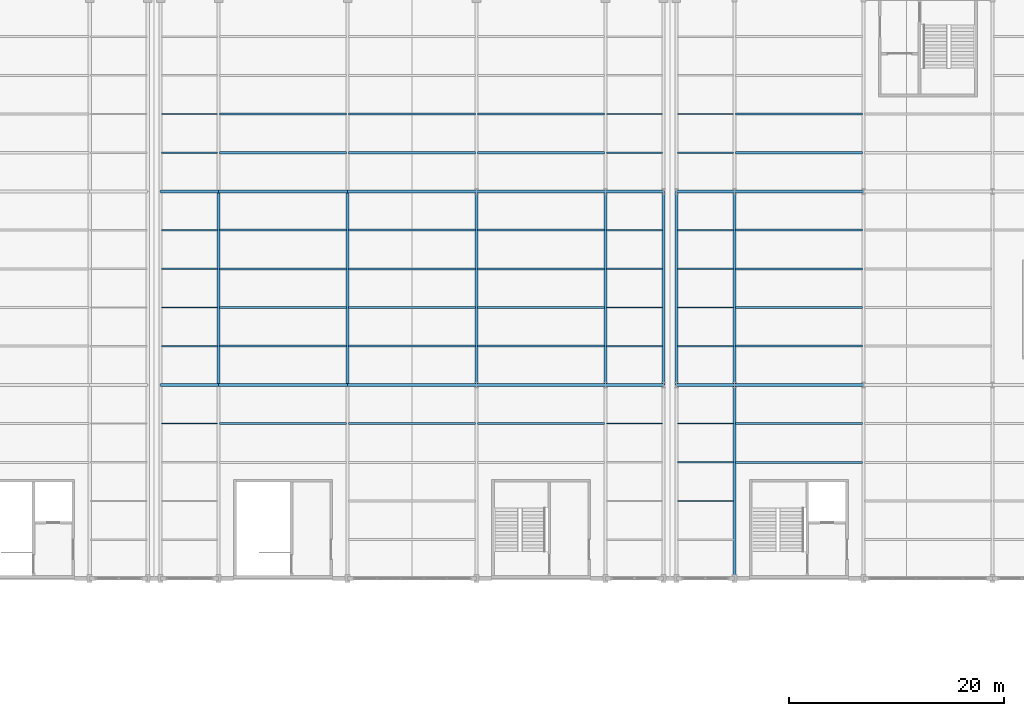
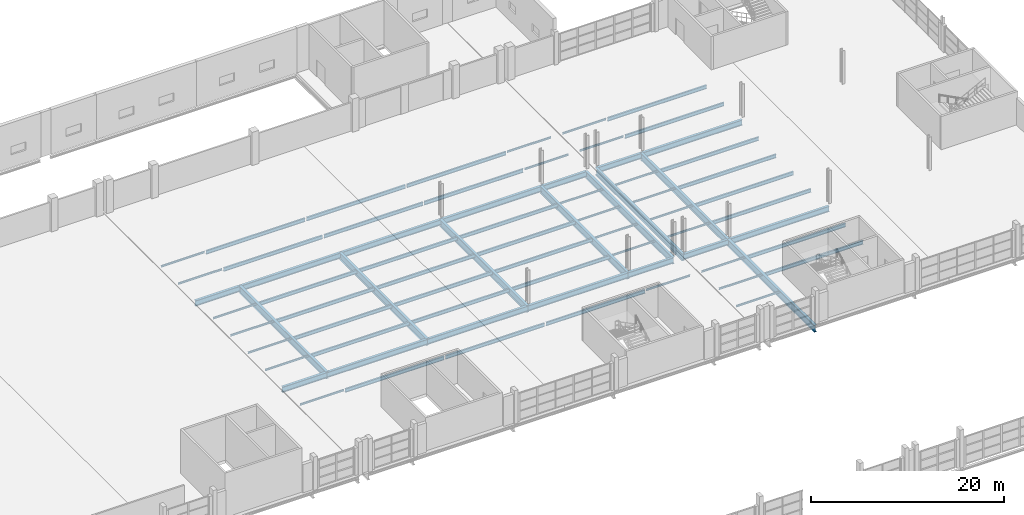
# One storey, part 96 of 147: 74 beams.
"""IFC4 building model written with IfcOpenShell, lengths in metres."""

import ifcopenshell
import ifcopenshell.guid

model = None  # the IFC model being written
_history = None  # IfcOwnerHistory: only IFC2X3 demands one
_inside = {}  # id of a spatial element -> (the spatial element, [elements in it])
_under = {}  # id of a project, library or spatial element -> (it, [spatial elements below it])
_declared = {}  # id of a project -> (the project, [libraries it declares])
_typed = {}  # id of a type object -> (the type object, [elements of that type])
_made_of = {}  # id of a material, layer set ... -> (it, [elements and type objects made of it])


def new_model(schema):
    """Start an empty IFC model of exactly this schema.

    Asked for "IFC4X3", IfcOpenShell would pick the latest addendum, in which some entities
    have other attributes; the version numbers below select the first issue.
    IFC2X3 requires an IfcOwnerHistory on every rooted entity: one is made here for all.
    """
    global model, _history
    if schema == "IFC4X3":
        model = ifcopenshell.file(schema_version=(4, 3, 0, 0))
    else:
        model = ifcopenshell.file(schema=schema)
    _inside.clear()
    _under.clear()
    _declared.clear()
    _typed.clear()
    _made_of.clear()
    _history = None
    if model.schema == "IFC2X3":
        org = make("IfcOrganization", Name="unknown")
        user = make(
            "IfcPersonAndOrganization",
            ThePerson=make("IfcPerson", FamilyName="unknown"),
            TheOrganization=org,
        )
        app = make(
            "IfcApplication",
            ApplicationDeveloper=org,
            Version="unknown",
            ApplicationFullName="unknown",
            ApplicationIdentifier="unknown",
        )
        _history = make(
            "IfcOwnerHistory",
            OwningUser=user,
            OwningApplication=app,
            ChangeAction="ADDED",
            CreationDate=0,
        )
    return model


def make(cls, **values):
    """One entity of the class cls with the attributes given. An attribute that is None is left unset."""
    return model.create_entity(
        cls, **{name: value for name, value in values.items() if value is not None}
    )


def rooted(cls, **values):
    """An entity with a GlobalId (a new one), such as an element, a storey or a relation."""
    return make(cls, GlobalId=ifcopenshell.guid.new(), OwnerHistory=_history, **values)


def si_unit(unit_type, name, prefix=None):
    """IfcSIUnit, for example si_unit("LENGTHUNIT", "METRE", prefix="MILLI")."""
    return make("IfcSIUnit", UnitType=unit_type, Prefix=prefix, Name=name)


def assignment(units):
    """IfcUnitAssignment: the units of a project."""
    return None if units is None else make("IfcUnitAssignment", Units=units)


def point(xyz):
    """IfcCartesianPoint."""
    return None if xyz is None else make("IfcCartesianPoint", Coordinates=xyz)


def direction(xyz):
    """IfcDirection."""
    return None if xyz is None else make("IfcDirection", DirectionRatios=xyz)


def frame(location, z_axis=None, x_axis=None):
    """IfcAxis2Placement3D, a coordinate frame: its origin and axes. An axis left out is left unset."""
    return make(
        "IfcAxis2Placement3D",
        Location=point(location),
        Axis=direction(z_axis),
        RefDirection=direction(x_axis),
    )


def frame_2d(location, x_axis=None):
    """IfcAxis2Placement2D, a coordinate frame in the plane: its origin and x axis."""
    return make(
        "IfcAxis2Placement2D", Location=point(location), RefDirection=direction(x_axis)
    )


def origin():
    """The frame at (0, 0, 0) with its axes left unset."""
    return frame((0.0, 0.0, 0.0))


def origin_2d():
    """The frame at (0, 0) in the plane with its x axis left unset."""
    return frame_2d((0.0, 0.0))


def place(relative_to, where):
    """IfcLocalPlacement: puts the frame where relative to a parent placement (None: the world)."""
    return make(
        "IfcLocalPlacement", PlacementRelTo=relative_to, RelativePlacement=where
    )


def context(
    kind, dimensions, precision=None, world=None, true_north=None, identifier=None
):
    """IfcGeometricRepresentationContext, for example the 3D "Model" context."""
    return make(
        "IfcGeometricRepresentationContext",
        ContextIdentifier=identifier,
        ContextType=kind,
        CoordinateSpaceDimension=dimensions,
        Precision=precision,
        WorldCoordinateSystem=world,
        TrueNorth=true_north,
    )


def subcontext(parent, identifier, kind, view, scale=None):
    """IfcGeometricRepresentationSubContext, for example "Body" below "Model"."""
    return make(
        "IfcGeometricRepresentationSubContext",
        ContextIdentifier=identifier,
        ContextType=kind,
        ParentContext=parent,
        TargetScale=scale,
        TargetView=view,
    )


def project(units=None, contexts=None):
    """IfcProject with its units and contexts."""
    return rooted(
        "IfcProject",
        Name="project",
        RepresentationContexts=contexts,
        UnitsInContext=assignment(units),
    )


def spatial(cls, under=None, at=None, **own):
    """A site, building, storey or space (cls), placed at a placement, below another one or the project."""
    s = rooted(cls, ObjectPlacement=at, **own)
    if under is not None:
        _under.setdefault(under.id(), (under, []))[1].append(s)
    return s


def profile(cls, at=None, kind="AREA", **sizes):
    """A parametric profile (cls). Its sizes go by their IFC names, for example OverallWidth=200.0."""
    return make(cls, ProfileType=kind, Position=at, **sizes)


def i_section(**sizes):
    """IfcIShapeProfileDef."""
    return profile("IfcIShapeProfileDef", **sizes)


def extrude(swept, where, along, depth):
    """IfcExtrudedAreaSolid: the profile swept, set in the frame where, extruded along a direction by depth."""
    return make(
        "IfcExtrudedAreaSolid",
        SweptArea=swept,
        Position=where,
        ExtrudedDirection=direction(along),
        Depth=depth,
    )


def shape(context_of_items, identifier, shape_type, items):
    """IfcShapeRepresentation: the items that make up one representation, for example the "Body"."""
    return make(
        "IfcShapeRepresentation",
        ContextOfItems=context_of_items,
        RepresentationIdentifier=identifier,
        RepresentationType=shape_type,
        Items=items,
    )


def material(Name=None, Category=None):
    """IfcMaterial."""
    return make("IfcMaterial", Name=Name, Category=Category)


def material_profile(
    of_material, cross_section, Name=None, Category=None, Priority=None
):
    """IfcMaterialProfile: a cross section and its material."""
    return make(
        "IfcMaterialProfile",
        Name=Name,
        Material=of_material,
        Profile=cross_section,
        Priority=Priority,
        Category=Category,
    )


def profile_set(profiles, Name=None, composite=None):
    """IfcMaterialProfileSet."""
    return make(
        "IfcMaterialProfileSet",
        Name=Name,
        MaterialProfiles=profiles,
        CompositeProfile=composite,
    )


def made_of(thing, what):
    """Note that an element or type object is made of a material, layer set ...; save() writes the relation."""
    if what is not None:
        _made_of.setdefault(what.id(), (what, []))[1].append(thing)
    return thing


def type_object(cls, material=None, **own):
    """A type object (cls), such as IfcWallType, which elements share."""
    return made_of(rooted(cls, **own), material)


def element(
    cls,
    number,
    at=None,
    inside=None,
    cuts=None,
    type_object=None,
    material=None,
    context=None,
    identifier="Body",
    shape_type=None,
    held_by="IfcProductDefinitionShape",
    body=None,
    shapes=None,
    **own,
):
    """One element of the class cls, such as IfcWall. Its Tag is "e" and its number.

    at: its placement. inside: the storey or other place that contains it. cuts: it is an
    opening in that element (IfcRelVoidsElement). A single representation is given by context,
    identifier, shape_type and body (its items); several are given by shapes. held_by: the class
    of the entity that holds the representations. save() writes the other relations.
    """
    e = rooted(cls, Tag="e%d" % number, ObjectPlacement=at, **own)
    if body is not None:
        shapes = [shape(context, identifier, shape_type, body)]
    if shapes is not None:
        e.Representation = make(held_by, Representations=shapes)
    if inside is not None:
        _inside.setdefault(inside.id(), (inside, []))[1].append(e)
    if cuts is not None:
        rooted(
            "IfcRelVoidsElement", RelatingBuildingElement=cuts, RelatedOpeningElement=e
        )
    if type_object is not None:
        _typed.setdefault(type_object.id(), (type_object, []))[1].append(e)
    return made_of(e, material)


def aggregate(whole, parts):
    """IfcRelAggregates: a whole, such as a stair, and the parts it consists of."""
    return rooted("IfcRelAggregates", RelatingObject=whole, RelatedObjects=parts)


def save(model, path):
    """Write the relations noted so far, then the file.

    IfcRelAggregates (storeys below a building ...), IfcRelContainedInSpatialStructure (elements
    in a storey), IfcRelDefinesByType, IfcRelAssociatesMaterial and IfcRelDeclares: one each for
    every whole, place, type object, material and project.
    """
    for whole, parts in _under.values():
        aggregate(whole, parts)
    for where, things in _inside.values():
        rooted(
            "IfcRelContainedInSpatialStructure",
            RelatedElements=things,
            RelatingStructure=where,
        )
    for kind, things in _typed.values():
        rooted("IfcRelDefinesByType", RelatedObjects=things, RelatingType=kind)
    for what, things in _made_of.values():
        rooted("IfcRelAssociatesMaterial", RelatedObjects=things, RelatingMaterial=what)
    for by, libraries in _declared.values():
        rooted("IfcRelDeclares", RelatingContext=by, RelatedDefinitions=libraries)
    model.write(path)


model = new_model("IFC4")

# Units and contexts
model_context = context("Model", 3, precision=1e-05, world=origin(), true_north=direction((0.0, 1.0)))
body_context = subcontext(model_context, "Body", "Model", "MODEL_VIEW")
ifc_project = project(units=[si_unit("LENGTHUNIT", "METRE"), si_unit("AREAUNIT", "SQUARE_METRE"), si_unit("VOLUMEUNIT", "CUBIC_METRE"), si_unit("PLANEANGLEUNIT", "RADIAN"), si_unit("MASSUNIT", "GRAM", prefix="KILO")], contexts=[model_context])

# Site, building, storey
site_placement = place(None, origin())
site = spatial("IfcSite", under=ifc_project, at=site_placement, CompositionType="ELEMENT")
building_placement = place(site_placement, origin())
building = spatial("IfcBuilding", under=site, at=building_placement, Name="Zilviju Railside Exhibition Hall", CompositionType="ELEMENT")
storey_placement = place(building_placement, frame((0.0, 0.0, 8.39990234375)))
storey = spatial("IfcBuildingStorey", under=building, at=storey_placement, Name="L03", CompositionType="ELEMENT", Elevation=8.39990234375)

# Beams
ifc_material = material(Name="Steel S355J2", Category="steel")
ifc_material_profile_1 = material_profile(ifc_material, i_section(OverallWidth=0.300048828125, OverallDepth=0.699951171875, WebThickness=0.01708984375, FlangeThickness=0.031982421875, at=origin_2d()), Name="HEB 700")
ifc_profile_set_1 = profile_set([ifc_material_profile_1], Name="Steel S355J2")
beam_type_1 = type_object("IfcBeamType", Name="BM-HEB700", PredefinedType="BEAM", material=ifc_profile_set_1)
beam_1_placement = place(storey_placement, frame((126.60009765625, 102.0, -0.72998046875), z_axis=(1.0, 0.0, 0.0), x_axis=(0.0, 1.0, 0.0)))
element("IfcBeam", 1, at=beam_1_placement, inside=storey, type_object=beam_type_1, Name="Primary Girder L03 Y=102.0 (126.6..132.0)", PredefinedType="BEAM", context=body_context, shape_type="SweptSolid", body=[
    extrude(i_section(OverallWidth=0.300048828125, OverallDepth=0.699951171875, WebThickness=0.01708984375, FlangeThickness=0.031982421875, at=origin_2d()), origin(), (0.0, 0.0, 1.0), 5.39990234375),
])
for number, where, z_axis, x_axis, name in (
    (2, (132.0, 102.0, -0.72998046875), (1.0, 0.0, 0.0), (0.0, 1.0, 0.0), "Primary Girder L03 Y=102.0 (132.0..144.0)"),
    (3, (144.0, 102.0, -0.72998046875), (1.0, 0.0, 0.0), (0.0, 1.0, 0.0), "Primary Girder L03 Y=102.0 (144.0..156.0)"),
    (4, (156.0, 102.0, -0.72998046875), (1.0, 0.0, 0.0), (0.0, 1.0, 0.0), "Primary Girder L03 Y=102.0 (156.0..168.0)"),
):
    element("IfcBeam", number, at=place(storey_placement, frame(where, z_axis=z_axis, x_axis=x_axis)), inside=storey, type_object=beam_type_1, Name=name, PredefinedType="BEAM", context=body_context, shape_type="SweptSolid", body=[
        extrude(i_section(OverallWidth=0.300048828125, OverallDepth=0.699951171875, WebThickness=0.01708984375, FlangeThickness=0.031982421875, at=origin_2d()), origin(), (0.0, 0.0, 1.0), 12.0),
    ])
for number, where, z_axis, x_axis, name in (
    (5, (168.0, 102.0, -0.72998046875), (1.0, 0.0, 0.0), (0.0, 1.0, 0.0), "Primary Girder L03 Y=102.0 (168.0..173.4)"),
    (6, (174.60009765625, 102.0, -0.72998046875), (1.0, 0.0, 0.0), (0.0, 1.0, 0.0), "Primary Girder L03 Y=102.0 (174.6..180.0)"),
):
    element("IfcBeam", number, at=place(storey_placement, frame(where, z_axis=z_axis, x_axis=x_axis)), inside=storey, type_object=beam_type_1, Name=name, PredefinedType="BEAM", context=body_context, shape_type="SweptSolid", body=[
        extrude(i_section(OverallWidth=0.300048828125, OverallDepth=0.699951171875, WebThickness=0.01708984375, FlangeThickness=0.031982421875, at=origin_2d()), origin(), (0.0, 0.0, 1.0), 5.39990234375),
    ])
beam_2_placement = place(storey_placement, frame((180.0, 102.0, -0.72998046875), z_axis=(1.0, 0.0, 0.0), x_axis=(0.0, 1.0, 0.0)))
element("IfcBeam", 7, at=beam_2_placement, inside=storey, type_object=beam_type_1, Name="Primary Girder L03 Y=102.0 (180.0..192.0)", PredefinedType="BEAM", context=body_context, shape_type="SweptSolid", body=[
    extrude(i_section(OverallWidth=0.300048828125, OverallDepth=0.699951171875, WebThickness=0.01708984375, FlangeThickness=0.031982421875, at=origin_2d()), origin(), (0.0, 0.0, 1.0), 12.0),
])
beam_3_placement = place(storey_placement, frame((126.60009765625, 120.0, -0.72998046875), z_axis=(1.0, 0.0, 0.0), x_axis=(0.0, 1.0, 0.0)))
element("IfcBeam", 8, at=beam_3_placement, inside=storey, type_object=beam_type_1, Name="Primary Girder L03 Y=120.0 (126.6..132.0)", PredefinedType="BEAM", context=body_context, shape_type="SweptSolid", body=[
    extrude(i_section(OverallWidth=0.300048828125, OverallDepth=0.699951171875, WebThickness=0.01708984375, FlangeThickness=0.031982421875, at=origin_2d()), origin(), (0.0, 0.0, 1.0), 5.39990234375),
])
for number, where, z_axis, x_axis, name in (
    (9, (132.0, 120.0, -0.72998046875), (1.0, 0.0, 0.0), (0.0, 1.0, 0.0), "Primary Girder L03 Y=120.0 (132.0..144.0)"),
    (10, (144.0, 120.0, -0.72998046875), (1.0, 0.0, 0.0), (0.0, 1.0, 0.0), "Primary Girder L03 Y=120.0 (144.0..156.0)"),
    (11, (156.0, 120.0, -0.72998046875), (1.0, 0.0, 0.0), (0.0, 1.0, 0.0), "Primary Girder L03 Y=120.0 (156.0..168.0)"),
):
    element("IfcBeam", number, at=place(storey_placement, frame(where, z_axis=z_axis, x_axis=x_axis)), inside=storey, type_object=beam_type_1, Name=name, PredefinedType="BEAM", context=body_context, shape_type="SweptSolid", body=[
        extrude(i_section(OverallWidth=0.300048828125, OverallDepth=0.699951171875, WebThickness=0.01708984375, FlangeThickness=0.031982421875, at=origin_2d()), origin(), (0.0, 0.0, 1.0), 12.0),
    ])
for number, where, z_axis, x_axis, name in (
    (12, (168.0, 120.0, -0.72998046875), (1.0, 0.0, 0.0), (0.0, 1.0, 0.0), "Primary Girder L03 Y=120.0 (168.0..173.4)"),
    (13, (174.60009765625, 120.0, -0.72998046875), (1.0, 0.0, 0.0), (0.0, 1.0, 0.0), "Primary Girder L03 Y=120.0 (174.6..180.0)"),
):
    element("IfcBeam", number, at=place(storey_placement, frame(where, z_axis=z_axis, x_axis=x_axis)), inside=storey, type_object=beam_type_1, Name=name, PredefinedType="BEAM", context=body_context, shape_type="SweptSolid", body=[
        extrude(i_section(OverallWidth=0.300048828125, OverallDepth=0.699951171875, WebThickness=0.01708984375, FlangeThickness=0.031982421875, at=origin_2d()), origin(), (0.0, 0.0, 1.0), 5.39990234375),
    ])
beam_4_placement = place(storey_placement, frame((180.0, 120.0, -0.72998046875), z_axis=(1.0, 0.0, 0.0), x_axis=(0.0, 1.0, 0.0)))
element("IfcBeam", 14, at=beam_4_placement, inside=storey, type_object=beam_type_1, Name="Primary Girder L03 Y=120.0 (180.0..192.0)", PredefinedType="BEAM", context=body_context, shape_type="SweptSolid", body=[
    extrude(i_section(OverallWidth=0.300048828125, OverallDepth=0.699951171875, WebThickness=0.01708984375, FlangeThickness=0.031982421875, at=origin_2d()), origin(), (0.0, 0.0, 1.0), 12.0),
])
ifc_material_profile_2 = material_profile(ifc_material, i_section(OverallWidth=0.300048828125, OverallDepth=0.89990234375, WebThickness=0.0185546875, FlangeThickness=0.034912109375, at=origin_2d()), Name="HEB 900")
ifc_profile_set_2 = profile_set([ifc_material_profile_2], Name="Steel S355J2")
beam_type_2 = type_object("IfcBeamType", Name="BM-HEB900", PredefinedType="BEAM", material=ifc_profile_set_2)
for number, where, z_axis, x_axis, name in (
    (15, (132.0, 102.0, -0.829833984375), (0.0, 1.0, 0.0), (-1.0, 0.0, 0.0), "Transverse Girder L03 X=132.0 (102.0..120.0)"),
    (16, (144.0, 102.0, -0.829833984375), (0.0, 1.0, 0.0), (-1.0, 0.0, 0.0), "Transverse Girder L03 X=144.0 (102.0..120.0)"),
    (17, (156.0, 102.0, -0.829833984375), (0.0, 1.0, 0.0), (-1.0, 0.0, 0.0), "Transverse Girder L03 X=156.0 (102.0..120.0)"),
    (18, (168.0, 102.0, -0.829833984375), (0.0, 1.0, 0.0), (-1.0, 0.0, 0.0), "Transverse Girder L03 X=168.0 (102.0..120.0)"),
    (19, (173.39990234375, 102.0, -0.829833984375), (0.0, 1.0, 0.0), (-1.0, 0.0, 0.0), "Transverse Girder L03 X=173.4 (102.0..120.0)"),
    (20, (174.60009765625, 102.0, -0.829833984375), (0.0, 1.0, 0.0), (-1.0, 0.0, 0.0), "Transverse Girder L03 X=174.6 (102.0..120.0)"),
    (21, (180.0, 84.0, -0.829833984375), (0.0, 1.0, 0.0), (-1.0, 0.0, 0.0), "Transverse Girder L03 X=180.0 (84.0..102.0)"),
    (22, (180.0, 102.0, -0.829833984375), (0.0, 1.0, 0.0), (-1.0, 0.0, 0.0), "Transverse Girder L03 X=180.0 (102.0..120.0)"),
):
    element("IfcBeam", number, at=place(storey_placement, frame(where, z_axis=z_axis, x_axis=x_axis)), inside=storey, type_object=beam_type_2, Name=name, PredefinedType="BEAM", context=body_context, shape_type="SweptSolid", body=[
        extrude(i_section(OverallWidth=0.300048828125, OverallDepth=0.89990234375, WebThickness=0.0185546875, FlangeThickness=0.034912109375, at=origin_2d()), origin(), (0.0, 0.0, 1.0), 18.0),
    ])
ifc_material_profile_3 = material_profile(ifc_material, i_section(OverallWidth=0.1201171875, OverallDepth=0.239990234375, WebThickness=0.006103515625, FlangeThickness=0.009765625, at=origin_2d()), Name="IPE 240")
ifc_profile_set_3 = profile_set([ifc_material_profile_3], Name="Steel S355J2")
beam_type_3 = type_object("IfcBeamType", Name="BM-IPE240", PredefinedType="JOIST", material=ifc_profile_set_3)
for number, where, z_axis, x_axis, name in (
    (23, (126.679931640625, 98.39990234375, -0.5), (1.0, 0.0, 0.0), (0.0, 1.0, 0.0), "Composite Floor Joist L03 Y=98.40 (126.6..132.0)"),
    (24, (126.679931640625, 105.60009765625, -0.5), (1.0, 0.0, 0.0), (0.0, 1.0, 0.0), "Composite Floor Joist L03 Y=105.60 (126.6..132.0)"),
    (25, (126.679931640625, 109.199951171875, -0.5), (1.0, 0.0, 0.0), (0.0, 1.0, 0.0), "Composite Floor Joist L03 Y=109.20 (126.6..132.0)"),
    (26, (126.679931640625, 112.800048828125, -0.5), (1.0, 0.0, 0.0), (0.0, 1.0, 0.0), "Composite Floor Joist L03 Y=112.80 (126.6..132.0)"),
    (27, (126.679931640625, 116.39990234375, -0.5), (1.0, 0.0, 0.0), (0.0, 1.0, 0.0), "Composite Floor Joist L03 Y=116.40 (126.6..132.0)"),
    (28, (126.679931640625, 123.60009765625, -0.5), (1.0, 0.0, 0.0), (0.0, 1.0, 0.0), "Composite Floor Joist L03 Y=123.60 (126.6..132.0)"),
    (29, (126.679931640625, 127.199951171875, -0.5), (1.0, 0.0, 0.0), (0.0, 1.0, 0.0), "Composite Floor Joist L03 Y=127.20 (126.6..132.0)"),
    (30, (168.080078125, 98.39990234375, -0.5), (1.0, 0.0, 0.0), (0.0, 1.0, 0.0), "Composite Floor Joist L03 Y=98.40 (168.0..173.4)"),
    (31, (168.080078125, 105.60009765625, -0.5), (1.0, 0.0, 0.0), (0.0, 1.0, 0.0), "Composite Floor Joist L03 Y=105.60 (168.0..173.4)"),
    (32, (168.080078125, 109.199951171875, -0.5), (1.0, 0.0, 0.0), (0.0, 1.0, 0.0), "Composite Floor Joist L03 Y=109.20 (168.0..173.4)"),
    (33, (168.080078125, 112.800048828125, -0.5), (1.0, 0.0, 0.0), (0.0, 1.0, 0.0), "Composite Floor Joist L03 Y=112.80 (168.0..173.4)"),
    (34, (168.080078125, 116.39990234375, -0.5), (1.0, 0.0, 0.0), (0.0, 1.0, 0.0), "Composite Floor Joist L03 Y=116.40 (168.0..173.4)"),
    (35, (168.080078125, 123.60009765625, -0.5), (1.0, 0.0, 0.0), (0.0, 1.0, 0.0), "Composite Floor Joist L03 Y=123.60 (168.0..173.4)"),
    (36, (168.080078125, 127.199951171875, -0.5), (1.0, 0.0, 0.0), (0.0, 1.0, 0.0), "Composite Floor Joist L03 Y=127.20 (168.0..173.4)"),
    (37, (174.679931640625, 91.199951171875, -0.5), (1.0, 0.0, 0.0), (0.0, 1.0, 0.0), "Composite Floor Joist L03 Y=91.20 (174.6..180.0)"),
    (38, (174.679931640625, 94.800048828125, -0.5), (1.0, 0.0, 0.0), (0.0, 1.0, 0.0), "Composite Floor Joist L03 Y=94.80 (174.6..180.0)"),
    (39, (174.679931640625, 98.39990234375, -0.5), (1.0, 0.0, 0.0), (0.0, 1.0, 0.0), "Composite Floor Joist L03 Y=98.40 (174.6..180.0)"),
    (40, (174.679931640625, 105.60009765625, -0.5), (1.0, 0.0, 0.0), (0.0, 1.0, 0.0), "Composite Floor Joist L03 Y=105.60 (174.6..180.0)"),
    (41, (174.679931640625, 109.199951171875, -0.5), (1.0, 0.0, 0.0), (0.0, 1.0, 0.0), "Composite Floor Joist L03 Y=109.20 (174.6..180.0)"),
    (42, (174.679931640625, 112.800048828125, -0.5), (1.0, 0.0, 0.0), (0.0, 1.0, 0.0), "Composite Floor Joist L03 Y=112.80 (174.6..180.0)"),
    (43, (174.679931640625, 116.39990234375, -0.5), (1.0, 0.0, 0.0), (0.0, 1.0, 0.0), "Composite Floor Joist L03 Y=116.40 (174.6..180.0)"),
    (44, (174.679931640625, 123.60009765625, -0.5), (1.0, 0.0, 0.0), (0.0, 1.0, 0.0), "Composite Floor Joist L03 Y=123.60 (174.6..180.0)"),
    (45, (174.679931640625, 127.199951171875, -0.5), (1.0, 0.0, 0.0), (0.0, 1.0, 0.0), "Composite Floor Joist L03 Y=127.20 (174.6..180.0)"),
):
    element("IfcBeam", number, at=place(storey_placement, frame(where, z_axis=z_axis, x_axis=x_axis)), inside=storey, type_object=beam_type_3, Name=name, PredefinedType="JOIST", context=body_context, shape_type="SweptSolid", body=[
        extrude(i_section(OverallWidth=0.1201171875, OverallDepth=0.239990234375, WebThickness=0.006103515625, FlangeThickness=0.009765625, at=origin_2d()), origin(), (0.0, 0.0, 1.0), 5.239990234375),
    ])
ifc_material_profile_4 = material_profile(ifc_material, i_section(OverallWidth=0.18994140625, OverallDepth=0.449951171875, WebThickness=0.009521484375, FlangeThickness=0.0146484375, at=origin_2d()), Name="IPE 450")
ifc_profile_set_4 = profile_set([ifc_material_profile_4], Name="Steel S355J2")
beam_type_4 = type_object("IfcBeamType", Name="BM-IPE450", PredefinedType="JOIST", material=ifc_profile_set_4)
for number, where, z_axis, x_axis, name in (
    (46, (132.080078125, 98.39990234375, -0.60498046875), (1.0, 0.0, 0.0), (0.0, 1.0, 0.0), "Composite Floor Joist L03 Y=98.40 (132.0..144.0)"),
    (47, (132.080078125, 105.60009765625, -0.60498046875), (1.0, 0.0, 0.0), (0.0, 1.0, 0.0), "Composite Floor Joist L03 Y=105.60 (132.0..144.0)"),
    (48, (132.080078125, 109.199951171875, -0.60498046875), (1.0, 0.0, 0.0), (0.0, 1.0, 0.0), "Composite Floor Joist L03 Y=109.20 (132.0..144.0)"),
    (49, (132.080078125, 112.800048828125, -0.60498046875), (1.0, 0.0, 0.0), (0.0, 1.0, 0.0), "Composite Floor Joist L03 Y=112.80 (132.0..144.0)"),
    (50, (132.080078125, 116.39990234375, -0.60498046875), (1.0, 0.0, 0.0), (0.0, 1.0, 0.0), "Composite Floor Joist L03 Y=116.40 (132.0..144.0)"),
    (51, (132.080078125, 123.60009765625, -0.60498046875), (1.0, 0.0, 0.0), (0.0, 1.0, 0.0), "Composite Floor Joist L03 Y=123.60 (132.0..144.0)"),
    (52, (132.080078125, 127.199951171875, -0.60498046875), (1.0, 0.0, 0.0), (0.0, 1.0, 0.0), "Composite Floor Joist L03 Y=127.20 (132.0..144.0)"),
    (53, (144.080078125, 98.39990234375, -0.60498046875), (1.0, 0.0, 0.0), (0.0, 1.0, 0.0), "Composite Floor Joist L03 Y=98.40 (144.0..156.0)"),
    (54, (144.080078125, 105.60009765625, -0.60498046875), (1.0, 0.0, 0.0), (0.0, 1.0, 0.0), "Composite Floor Joist L03 Y=105.60 (144.0..156.0)"),
    (55, (144.080078125, 109.199951171875, -0.60498046875), (1.0, 0.0, 0.0), (0.0, 1.0, 0.0), "Composite Floor Joist L03 Y=109.20 (144.0..156.0)"),
    (56, (144.080078125, 112.800048828125, -0.60498046875), (1.0, 0.0, 0.0), (0.0, 1.0, 0.0), "Composite Floor Joist L03 Y=112.80 (144.0..156.0)"),
    (57, (144.080078125, 116.39990234375, -0.60498046875), (1.0, 0.0, 0.0), (0.0, 1.0, 0.0), "Composite Floor Joist L03 Y=116.40 (144.0..156.0)"),
    (58, (144.080078125, 123.60009765625, -0.60498046875), (1.0, 0.0, 0.0), (0.0, 1.0, 0.0), "Composite Floor Joist L03 Y=123.60 (144.0..156.0)"),
    (59, (144.080078125, 127.199951171875, -0.60498046875), (1.0, 0.0, 0.0), (0.0, 1.0, 0.0), "Composite Floor Joist L03 Y=127.20 (144.0..156.0)"),
    (60, (156.080078125, 98.39990234375, -0.60498046875), (1.0, 0.0, 0.0), (0.0, 1.0, 0.0), "Composite Floor Joist L03 Y=98.40 (156.0..168.0)"),
    (61, (156.080078125, 105.60009765625, -0.60498046875), (1.0, 0.0, 0.0), (0.0, 1.0, 0.0), "Composite Floor Joist L03 Y=105.60 (156.0..168.0)"),
    (62, (156.080078125, 109.199951171875, -0.60498046875), (1.0, 0.0, 0.0), (0.0, 1.0, 0.0), "Composite Floor Joist L03 Y=109.20 (156.0..168.0)"),
    (63, (156.080078125, 112.800048828125, -0.60498046875), (1.0, 0.0, 0.0), (0.0, 1.0, 0.0), "Composite Floor Joist L03 Y=112.80 (156.0..168.0)"),
    (64, (156.080078125, 116.39990234375, -0.60498046875), (1.0, 0.0, 0.0), (0.0, 1.0, 0.0), "Composite Floor Joist L03 Y=116.40 (156.0..168.0)"),
    (65, (156.080078125, 123.60009765625, -0.60498046875), (1.0, 0.0, 0.0), (0.0, 1.0, 0.0), "Composite Floor Joist L03 Y=123.60 (156.0..168.0)"),
    (66, (156.080078125, 127.199951171875, -0.60498046875), (1.0, 0.0, 0.0), (0.0, 1.0, 0.0), "Composite Floor Joist L03 Y=127.20 (156.0..168.0)"),
    (67, (180.080078125, 94.800048828125, -0.60498046875), (1.0, 0.0, 0.0), (0.0, 1.0, 0.0), "Composite Floor Joist L03 Y=94.80 (180.0..192.0)"),
    (68, (180.080078125, 98.39990234375, -0.60498046875), (1.0, 0.0, 0.0), (0.0, 1.0, 0.0), "Composite Floor Joist L03 Y=98.40 (180.0..192.0)"),
    (69, (180.080078125, 105.60009765625, -0.60498046875), (1.0, 0.0, 0.0), (0.0, 1.0, 0.0), "Composite Floor Joist L03 Y=105.60 (180.0..192.0)"),
    (70, (180.080078125, 109.199951171875, -0.60498046875), (1.0, 0.0, 0.0), (0.0, 1.0, 0.0), "Composite Floor Joist L03 Y=109.20 (180.0..192.0)"),
    (71, (180.080078125, 112.800048828125, -0.60498046875), (1.0, 0.0, 0.0), (0.0, 1.0, 0.0), "Composite Floor Joist L03 Y=112.80 (180.0..192.0)"),
    (72, (180.080078125, 116.39990234375, -0.60498046875), (1.0, 0.0, 0.0), (0.0, 1.0, 0.0), "Composite Floor Joist L03 Y=116.40 (180.0..192.0)"),
    (73, (180.080078125, 123.60009765625, -0.60498046875), (1.0, 0.0, 0.0), (0.0, 1.0, 0.0), "Composite Floor Joist L03 Y=123.60 (180.0..192.0)"),
    (74, (180.080078125, 127.199951171875, -0.60498046875), (1.0, 0.0, 0.0), (0.0, 1.0, 0.0), "Composite Floor Joist L03 Y=127.20 (180.0..192.0)"),
):
    element("IfcBeam", number, at=place(storey_placement, frame(where, z_axis=z_axis, x_axis=x_axis)), inside=storey, type_object=beam_type_4, Name=name, PredefinedType="JOIST", context=body_context, shape_type="SweptSolid", body=[
        extrude(i_section(OverallWidth=0.18994140625, OverallDepth=0.449951171875, WebThickness=0.009521484375, FlangeThickness=0.0146484375, at=origin_2d()), origin(), (0.0, 0.0, 1.0), 11.83984375),
    ])

save(model, "model.ifc")
